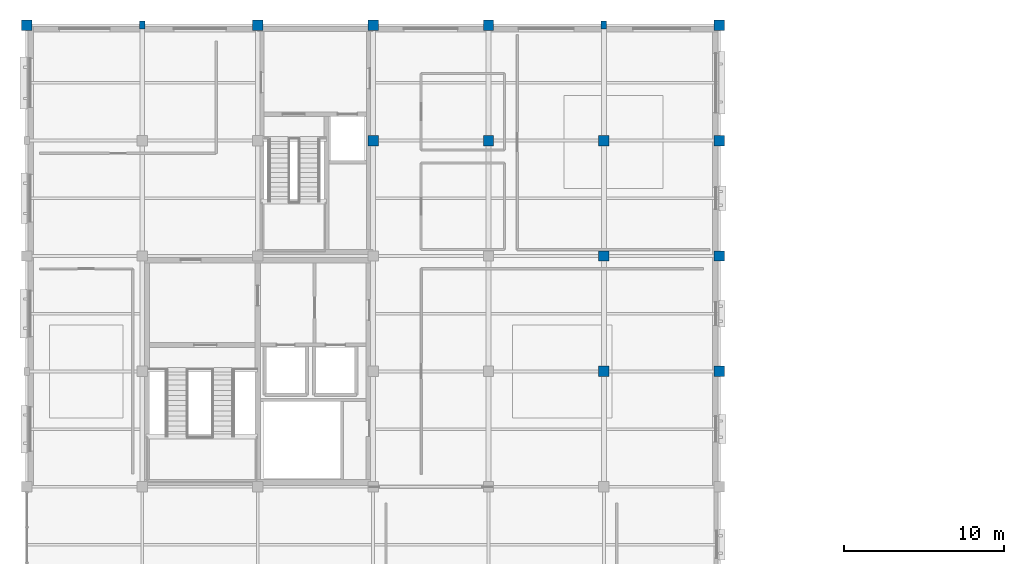
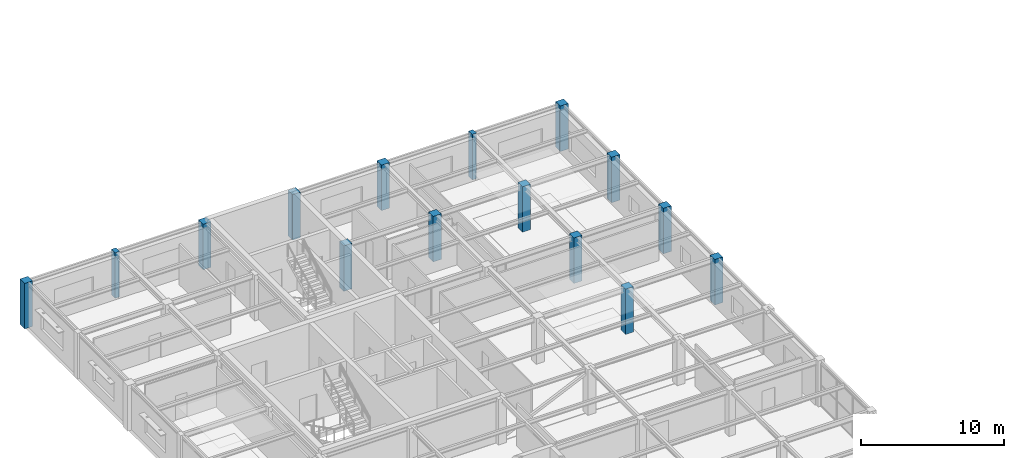
# One storey, part 2 of 83: 15 columns.
"""IFC4 building model written with IfcOpenShell, lengths in metres."""

import ifcopenshell
import ifcopenshell.guid

model = None  # the IFC model being written
_history = None  # IfcOwnerHistory: only IFC2X3 demands one
_inside = {}  # id of a spatial element -> (the spatial element, [elements in it])
_under = {}  # id of a project, library or spatial element -> (it, [spatial elements below it])
_declared = {}  # id of a project -> (the project, [libraries it declares])
_typed = {}  # id of a type object -> (the type object, [elements of that type])
_made_of = {}  # id of a material, layer set ... -> (it, [elements and type objects made of it])


def new_model(schema):
    """Start an empty IFC model of exactly this schema.

    Asked for "IFC4X3", IfcOpenShell would pick the latest addendum, in which some entities
    have other attributes; the version numbers below select the first issue.
    IFC2X3 requires an IfcOwnerHistory on every rooted entity: one is made here for all.
    """
    global model, _history
    if schema == "IFC4X3":
        model = ifcopenshell.file(schema_version=(4, 3, 0, 0))
    else:
        model = ifcopenshell.file(schema=schema)
    _inside.clear()
    _under.clear()
    _declared.clear()
    _typed.clear()
    _made_of.clear()
    _history = None
    if model.schema == "IFC2X3":
        org = make("IfcOrganization", Name="unknown")
        user = make(
            "IfcPersonAndOrganization",
            ThePerson=make("IfcPerson", FamilyName="unknown"),
            TheOrganization=org,
        )
        app = make(
            "IfcApplication",
            ApplicationDeveloper=org,
            Version="unknown",
            ApplicationFullName="unknown",
            ApplicationIdentifier="unknown",
        )
        _history = make(
            "IfcOwnerHistory",
            OwningUser=user,
            OwningApplication=app,
            ChangeAction="ADDED",
            CreationDate=0,
        )
    return model


def make(cls, **values):
    """One entity of the class cls with the attributes given. An attribute that is None is left unset."""
    return model.create_entity(
        cls, **{name: value for name, value in values.items() if value is not None}
    )


def rooted(cls, **values):
    """An entity with a GlobalId (a new one), such as an element, a storey or a relation."""
    return make(cls, GlobalId=ifcopenshell.guid.new(), OwnerHistory=_history, **values)


def si_unit(unit_type, name, prefix=None):
    """IfcSIUnit, for example si_unit("LENGTHUNIT", "METRE", prefix="MILLI")."""
    return make("IfcSIUnit", UnitType=unit_type, Prefix=prefix, Name=name)


def assignment(units):
    """IfcUnitAssignment: the units of a project."""
    return None if units is None else make("IfcUnitAssignment", Units=units)


def point(xyz):
    """IfcCartesianPoint."""
    return None if xyz is None else make("IfcCartesianPoint", Coordinates=xyz)


def direction(xyz):
    """IfcDirection."""
    return None if xyz is None else make("IfcDirection", DirectionRatios=xyz)


def frame(location, z_axis=None, x_axis=None):
    """IfcAxis2Placement3D, a coordinate frame: its origin and axes. An axis left out is left unset."""
    return make(
        "IfcAxis2Placement3D",
        Location=point(location),
        Axis=direction(z_axis),
        RefDirection=direction(x_axis),
    )


def frame_2d(location, x_axis=None):
    """IfcAxis2Placement2D, a coordinate frame in the plane: its origin and x axis."""
    return make(
        "IfcAxis2Placement2D", Location=point(location), RefDirection=direction(x_axis)
    )


def origin():
    """The frame at (0, 0, 0) with its axes left unset."""
    return frame((0.0, 0.0, 0.0))


def origin_2d():
    """The frame at (0, 0) in the plane with its x axis left unset."""
    return frame_2d((0.0, 0.0))


def place(relative_to, where):
    """IfcLocalPlacement: puts the frame where relative to a parent placement (None: the world)."""
    return make(
        "IfcLocalPlacement", PlacementRelTo=relative_to, RelativePlacement=where
    )


def context(
    kind, dimensions, precision=None, world=None, true_north=None, identifier=None
):
    """IfcGeometricRepresentationContext, for example the 3D "Model" context."""
    return make(
        "IfcGeometricRepresentationContext",
        ContextIdentifier=identifier,
        ContextType=kind,
        CoordinateSpaceDimension=dimensions,
        Precision=precision,
        WorldCoordinateSystem=world,
        TrueNorth=true_north,
    )


def subcontext(parent, identifier, kind, view, scale=None):
    """IfcGeometricRepresentationSubContext, for example "Body" below "Model"."""
    return make(
        "IfcGeometricRepresentationSubContext",
        ContextIdentifier=identifier,
        ContextType=kind,
        ParentContext=parent,
        TargetScale=scale,
        TargetView=view,
    )


def project(units=None, contexts=None):
    """IfcProject with its units and contexts."""
    return rooted(
        "IfcProject",
        Name="project",
        RepresentationContexts=contexts,
        UnitsInContext=assignment(units),
    )


def spatial(cls, under=None, at=None, **own):
    """A site, building, storey or space (cls), placed at a placement, below another one or the project."""
    s = rooted(cls, ObjectPlacement=at, **own)
    if under is not None:
        _under.setdefault(under.id(), (under, []))[1].append(s)
    return s


def profile(cls, at=None, kind="AREA", **sizes):
    """A parametric profile (cls). Its sizes go by their IFC names, for example OverallWidth=200.0."""
    return make(cls, ProfileType=kind, Position=at, **sizes)


def rectangle(**sizes):
    """IfcRectangleProfileDef."""
    return profile("IfcRectangleProfileDef", **sizes)


def extrude(swept, where, along, depth):
    """IfcExtrudedAreaSolid: the profile swept, set in the frame where, extruded along a direction by depth."""
    return make(
        "IfcExtrudedAreaSolid",
        SweptArea=swept,
        Position=where,
        ExtrudedDirection=direction(along),
        Depth=depth,
    )


def shape(context_of_items, identifier, shape_type, items):
    """IfcShapeRepresentation: the items that make up one representation, for example the "Body"."""
    return make(
        "IfcShapeRepresentation",
        ContextOfItems=context_of_items,
        RepresentationIdentifier=identifier,
        RepresentationType=shape_type,
        Items=items,
    )


def material(Name=None, Category=None):
    """IfcMaterial."""
    return make("IfcMaterial", Name=Name, Category=Category)


def material_profile(
    of_material, cross_section, Name=None, Category=None, Priority=None
):
    """IfcMaterialProfile: a cross section and its material."""
    return make(
        "IfcMaterialProfile",
        Name=Name,
        Material=of_material,
        Profile=cross_section,
        Priority=Priority,
        Category=Category,
    )


def profile_set(profiles, Name=None, composite=None):
    """IfcMaterialProfileSet."""
    return make(
        "IfcMaterialProfileSet",
        Name=Name,
        MaterialProfiles=profiles,
        CompositeProfile=composite,
    )


def made_of(thing, what):
    """Note that an element or type object is made of a material, layer set ...; save() writes the relation."""
    if what is not None:
        _made_of.setdefault(what.id(), (what, []))[1].append(thing)
    return thing


def type_object(cls, material=None, **own):
    """A type object (cls), such as IfcWallType, which elements share."""
    return made_of(rooted(cls, **own), material)


def element(
    cls,
    number,
    at=None,
    inside=None,
    cuts=None,
    type_object=None,
    material=None,
    context=None,
    identifier="Body",
    shape_type=None,
    held_by="IfcProductDefinitionShape",
    body=None,
    shapes=None,
    **own,
):
    """One element of the class cls, such as IfcWall. Its Tag is "e" and its number.

    at: its placement. inside: the storey or other place that contains it. cuts: it is an
    opening in that element (IfcRelVoidsElement). A single representation is given by context,
    identifier, shape_type and body (its items); several are given by shapes. held_by: the class
    of the entity that holds the representations. save() writes the other relations.
    """
    e = rooted(cls, Tag="e%d" % number, ObjectPlacement=at, **own)
    if body is not None:
        shapes = [shape(context, identifier, shape_type, body)]
    if shapes is not None:
        e.Representation = make(held_by, Representations=shapes)
    if inside is not None:
        _inside.setdefault(inside.id(), (inside, []))[1].append(e)
    if cuts is not None:
        rooted(
            "IfcRelVoidsElement", RelatingBuildingElement=cuts, RelatedOpeningElement=e
        )
    if type_object is not None:
        _typed.setdefault(type_object.id(), (type_object, []))[1].append(e)
    return made_of(e, material)


def aggregate(whole, parts):
    """IfcRelAggregates: a whole, such as a stair, and the parts it consists of."""
    return rooted("IfcRelAggregates", RelatingObject=whole, RelatedObjects=parts)


def save(model, path):
    """Write the relations noted so far, then the file.

    IfcRelAggregates (storeys below a building ...), IfcRelContainedInSpatialStructure (elements
    in a storey), IfcRelDefinesByType, IfcRelAssociatesMaterial and IfcRelDeclares: one each for
    every whole, place, type object, material and project.
    """
    for whole, parts in _under.values():
        aggregate(whole, parts)
    for where, things in _inside.values():
        rooted(
            "IfcRelContainedInSpatialStructure",
            RelatedElements=things,
            RelatingStructure=where,
        )
    for kind, things in _typed.values():
        rooted("IfcRelDefinesByType", RelatedObjects=things, RelatingType=kind)
    for what, things in _made_of.values():
        rooted("IfcRelAssociatesMaterial", RelatedObjects=things, RelatingMaterial=what)
    for by, libraries in _declared.values():
        rooted("IfcRelDeclares", RelatingContext=by, RelatedDefinitions=libraries)
    model.write(path)


model = new_model("IFC4")

# Units and contexts
model_context = context("Model", 3, precision=1e-05, world=origin(), true_north=direction((0.0, 1.0)))
body_context = subcontext(model_context, "Body", "Model", "MODEL_VIEW")
ifc_project = project(units=[si_unit("LENGTHUNIT", "METRE"), si_unit("AREAUNIT", "SQUARE_METRE"), si_unit("VOLUMEUNIT", "CUBIC_METRE"), si_unit("PLANEANGLEUNIT", "RADIAN"), si_unit("MASSUNIT", "GRAM", prefix="KILO")], contexts=[model_context])

# Site, building, storey
site_placement = place(None, origin())
site = spatial("IfcSite", under=ifc_project, at=site_placement, CompositionType="ELEMENT")
building_placement = place(site_placement, origin())
building = spatial("IfcBuilding", under=site, at=building_placement, Name="Leyfeld Transit Interchange", CompositionType="ELEMENT")
storey_placement = place(building_placement, frame((0.0, 0.0, 5.39990234375)))
storey = spatial("IfcBuildingStorey", under=building, at=storey_placement, Name="L01", CompositionType="ELEMENT", Elevation=5.39990234375)

# Columns
ifc_material = material(Name="Concrete C35/45", Category="concrete")
ifc_material_profile_1 = material_profile(ifc_material, rectangle(XDim=0.35009765625, YDim=0.5, at=origin_2d()), Name="RC 500x350")
ifc_profile_set_1 = profile_set([ifc_material_profile_1], Name="Concrete C35/45")
column_type_1 = type_object("IfcColumnType", Name="COL-PIL-500", PredefinedType="PILASTER", material=ifc_profile_set_1)
for number, where, z_axis, x_axis, name in (
    (1, (7.199951171875, 122.39990234375, 0.0), (0.0, 0.0, 1.0), (1.0, 0.0, 0.0), "Column COL-L01-0072_1224"),
    (2, (36.0, 122.39990234375, 0.0), (0.0, 0.0, 1.0), (1.0, 0.0, 0.0), "Column COL-L01-0360_1224"),
):
    element("IfcColumn", number, at=place(storey_placement, frame(where, z_axis=z_axis, x_axis=x_axis)), inside=storey, type_object=column_type_1, Name=name, PredefinedType="PILASTER", context=body_context, shape_type="SweptSolid", body=[
        extrude(rectangle(XDim=0.35009765625, YDim=0.5, at=origin_2d()), origin(), (0.0, 0.0, 1.0), 3.880126953125),
    ])
ifc_material_profile_2 = material_profile(ifc_material, rectangle(XDim=0.64990234375, YDim=0.64990234375, at=origin_2d()), Name="RC 650x650")
ifc_profile_set_2 = profile_set([ifc_material_profile_2], Name="Concrete C35/45")
column_type_2 = type_object("IfcColumnType", Name="COL-RC-650", PredefinedType="COLUMN", material=ifc_profile_set_2)
for number, where, z_axis, x_axis, name in (
    (3, (0.0, 122.39990234375, 0.0), (0.0, 0.0, 1.0), (1.0, 0.0, 0.0), "Column COL-L01-0000_1224"),
    (4, (14.39990234375, 122.39990234375, 0.0), (0.0, 0.0, 1.0), (1.0, 0.0, 0.0), "Column COL-L01-0144_1224"),
    (5, (21.60009765625, 115.199951171875, 0.0), (0.0, 0.0, 1.0), (1.0, 0.0, 0.0), "Column COL-L01-0216_1152"),
    (6, (21.60009765625, 122.39990234375, 0.0), (0.0, 0.0, 1.0), (1.0, 0.0, 0.0), "Column COL-L01-0216_1224"),
    (7, (28.800048828125, 115.199951171875, 0.0), (0.0, 0.0, 1.0), (1.0, 0.0, 0.0), "Column COL-L01-0288_1152"),
    (8, (28.800048828125, 122.39990234375, 0.0), (0.0, 0.0, 1.0), (1.0, 0.0, 0.0), "Column COL-L01-0288_1224"),
    (9, (36.0, 100.800048828125, 0.0), (0.0, 0.0, 1.0), (1.0, 0.0, 0.0), "Column COL-L01-0360_1008"),
    (10, (36.0, 108.0, 0.0), (0.0, 0.0, 1.0), (1.0, 0.0, 0.0), "Column COL-L01-0360_1080"),
    (11, (36.0, 115.199951171875, 0.0), (0.0, 0.0, 1.0), (1.0, 0.0, 0.0), "Column COL-L01-0360_1152"),
    (12, (43.199951171875, 100.800048828125, 0.0), (0.0, 0.0, 1.0), (1.0, 0.0, 0.0), "Column COL-L01-0432_1008"),
    (13, (43.199951171875, 108.0, 0.0), (0.0, 0.0, 1.0), (1.0, 0.0, 0.0), "Column COL-L01-0432_1080"),
    (14, (43.199951171875, 115.199951171875, 0.0), (0.0, 0.0, 1.0), (1.0, 0.0, 0.0), "Column COL-L01-0432_1152"),
    (15, (43.199951171875, 122.39990234375, 0.0), (0.0, 0.0, 1.0), (1.0, 0.0, 0.0), "Column COL-L01-0432_1224"),
):
    element("IfcColumn", number, at=place(storey_placement, frame(where, z_axis=z_axis, x_axis=x_axis)), inside=storey, type_object=column_type_2, Name=name, PredefinedType="COLUMN", context=body_context, shape_type="SweptSolid", body=[
        extrude(rectangle(XDim=0.64990234375, YDim=0.64990234375, at=origin_2d()), origin(), (0.0, 0.0, 1.0), 3.880126953125),
    ])

save(model, "model.ifc")
